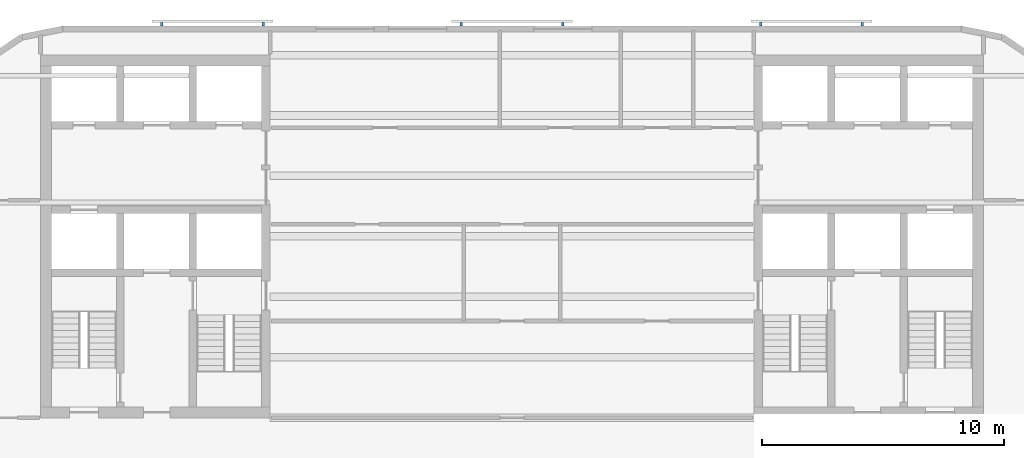
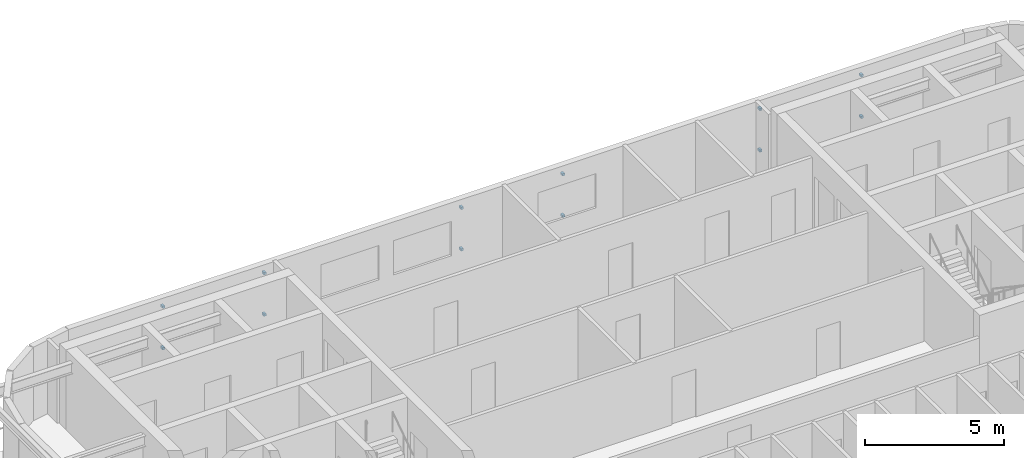
# One storey, part 8 of 11: 12 discrete accessories.
"""IFC4 building model written with IfcOpenShell, lengths in metres."""

from ifc_helpers import new_model, si_unit, direction, frame, origin, origin_2d, place, context, subcontext, project, spatial, rectangle, extrude, material, type_object, element, save


model = new_model("IFC4")

# Units and contexts
model_context = context("Model", 3, precision=1e-05, world=origin(), true_north=direction((0.0, 1.0)))
body_context = subcontext(model_context, "Body", "Model", "MODEL_VIEW")
ifc_project = project(units=[si_unit("LENGTHUNIT", "METRE"), si_unit("AREAUNIT", "SQUARE_METRE"), si_unit("VOLUMEUNIT", "CUBIC_METRE"), si_unit("PLANEANGLEUNIT", "RADIAN"), si_unit("MASSUNIT", "GRAM", prefix="KILO")], contexts=[model_context])

# Site, building, storey
site_placement = place(None, origin())
site = spatial("IfcSite", under=ifc_project, at=site_placement, CompositionType="ELEMENT")
building_placement = place(site_placement, origin())
building = spatial("IfcBuilding", under=site, at=building_placement, Name="Torana Hotel and Residences", CompositionType="ELEMENT")
storey_placement = place(building_placement, frame((0.0, 0.0, 273.60009765625)))
storey = spatial("IfcBuildingStorey", under=building, at=storey_placement, Name="L72", CompositionType="ELEMENT", Elevation=273.60009765625)

# Discrete accessories
ifc_material = material(Name="Steel S355", Category="steel")
discrete_accessory_type = type_object("IfcDiscreteAccessoryType", Name="SCREEN BRACKET 100", PredefinedType="BRACKET", material=ifc_material)
for number, where, z_axis, x_axis, name in (
    (1, (14.483642578125, 1.27490234375, 0.749755859375), (0.0, 0.0, 1.0), (-1.0, 0.0, 0.0), "Screen bracket L72"),
    (2, (14.483642578125, 1.27490234375, 2.56982421875), (0.0, 0.0, 1.0), (-1.0, 0.0, 0.0), "Screen bracket L72"),
    (3, (10.28369140625, 1.27490234375, 0.749755859375), (0.0, 0.0, 1.0), (-1.0, 0.0, 0.0), "Screen bracket L72"),
    (4, (10.28369140625, 1.27490234375, 2.56982421875), (0.0, 0.0, 1.0), (-1.0, 0.0, 0.0), "Screen bracket L72"),
    (5, (2.10009765625, 1.27490234375, 0.749755859375), (0.0, 0.0, 1.0), (-1.0, 0.0, 0.0), "Screen bracket L72"),
    (6, (2.10009765625, 1.27490234375, 2.56982421875), (0.0, 0.0, 1.0), (-1.0, 0.0, 0.0), "Screen bracket L72"),
    (7, (-2.10009765625, 1.27490234375, 0.749755859375), (0.0, 0.0, 1.0), (-1.0, 0.0, 0.0), "Screen bracket L72"),
    (8, (-2.10009765625, 1.27490234375, 2.56982421875), (0.0, 0.0, 1.0), (-1.0, 0.0, 0.0), "Screen bracket L72"),
    (9, (-10.28369140625, 1.27490234375, 0.749755859375), (0.0, 0.0, 1.0), (-1.0, 0.0, 0.0), "Screen bracket L72"),
    (10, (-10.28369140625, 1.27490234375, 2.56982421875), (0.0, 0.0, 1.0), (-1.0, 0.0, 0.0), "Screen bracket L72"),
    (11, (-14.483642578125, 1.27490234375, 0.749755859375), (0.0, 0.0, 1.0), (-1.0, 0.0, 0.0), "Screen bracket L72"),
    (12, (-14.483642578125, 1.27490234375, 2.56982421875), (0.0, 0.0, 1.0), (-1.0, 0.0, 0.0), "Screen bracket L72"),
):
    element("IfcDiscreteAccessory", number, at=place(storey_placement, frame(where, z_axis=z_axis, x_axis=x_axis)), inside=storey, type_object=discrete_accessory_type, Name=name, PredefinedType="BRACKET", context=body_context, shape_type="SweptSolid", body=[
        extrude(rectangle(XDim=0.10009765625, YDim=0.14990234375, at=origin_2d()), origin(), (0.0, 0.0, 1.0), 0.10009765625),
    ])

save(model, "model.ifc")
